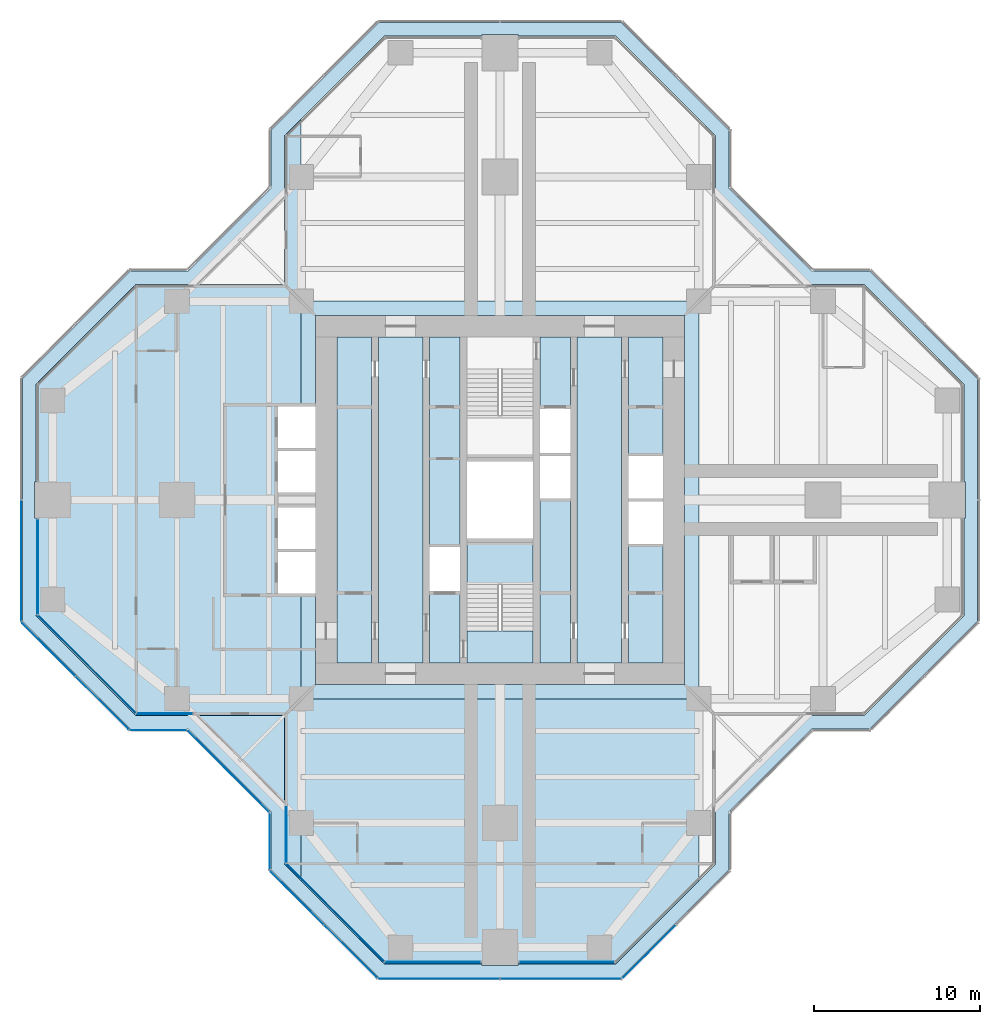
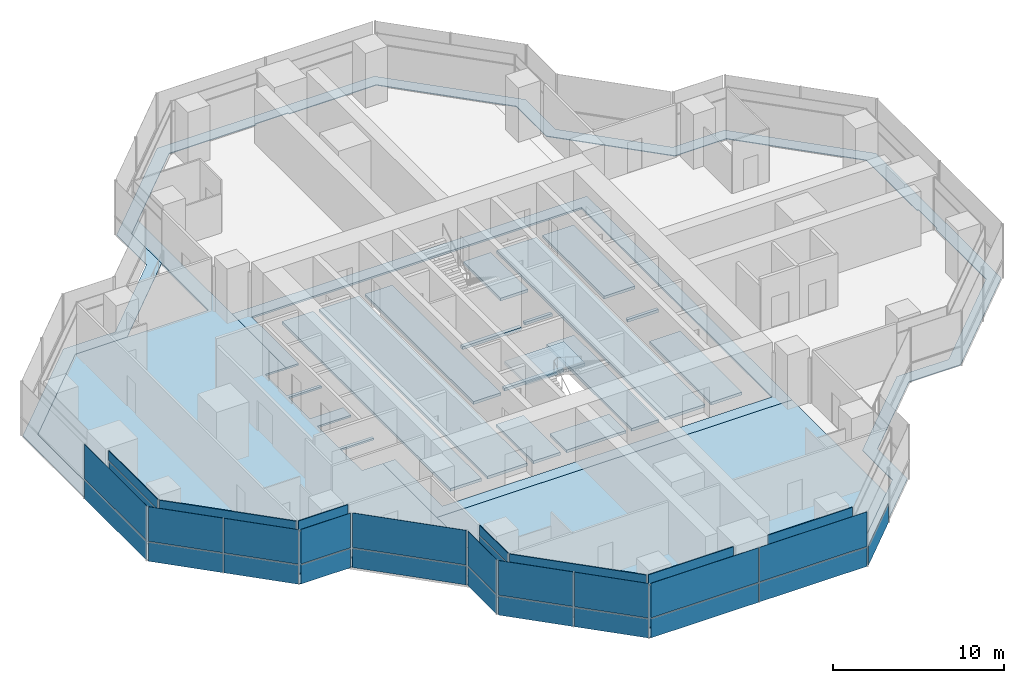
# One storey, part 10 of 17: 36 plates, 7 slabs, 16 elements without a shape of their own.
"""IFC4 building model written with IfcOpenShell, lengths in metres."""

from ifc_helpers import new_model, si_unit, direction, frame, origin, origin_2d, place, context, subcontext, project, spatial, polyline, rectangle, outline, extrude, material, layer, layer_set, type_object, element, aggregate, save


model = new_model("IFC4")

# Units and contexts
model_context = context("Model", 3, precision=1e-05, world=origin(), true_north=direction((0.0, 1.0)))
body_context = subcontext(model_context, "Body", "Model", "MODEL_VIEW")
ifc_project = project(units=[si_unit("LENGTHUNIT", "METRE"), si_unit("AREAUNIT", "SQUARE_METRE"), si_unit("VOLUMEUNIT", "CUBIC_METRE"), si_unit("PLANEANGLEUNIT", "RADIAN"), si_unit("MASSUNIT", "GRAM", prefix="KILO")], contexts=[model_context])

# Site, building, storey
site_placement = place(None, origin())
site = spatial("IfcSite", under=ifc_project, at=site_placement, CompositionType="ELEMENT")
building_placement = place(site_placement, origin())
building = spatial("IfcBuilding", under=site, at=building_placement, Name="Mizan Broadcast Tower", CompositionType="ELEMENT")
storey_placement = place(building_placement, frame((0.0, 0.0, 247.800048828125)))
storey = spatial("IfcBuildingStorey", under=building, at=storey_placement, Name="L58", CompositionType="ELEMENT", Elevation=247.800048828125)

# Plate
ifc_material_1 = material(Name="Aluminium grating", Category="aluminium")
ifc_layer_1 = layer(ifc_material_1, 0.050048828125)
ifc_layer_set_1 = layer_set([ifc_layer_1], Name="Aluminium grating")
plate_type_1 = type_object("IfcPlateType", Name="CAVITY GRATING", PredefinedType="USERDEFINED", material=ifc_layer_set_1)
plate_1_placement = place(storey_placement, frame((0.0, 0.0, -0.050048828125)))
element("IfcPlate", 1, at=plate_1_placement, inside=storey, type_object=plate_type_1, Name="Cavity grating L58", ObjectType="GRATING", PredefinedType="USERDEFINED", context=body_context, shape_type="SweptSolid", body=[
    extrude(outline(polyline([(13.820068359375, -18.839599609375), (18.839599609375, -13.820068359375), (22.339599609375, -13.820068359375), (28.820068359375, -7.339599609375), (28.820068359375, 7.339599609375), (22.339599609375, 13.820068359375), (18.839599609375, 13.820068359375), (13.820068359375, 18.839599609375), (13.820068359375, 22.339599609375), (7.339599609375, 28.820068359375), (-7.339599609375, 28.820068359375), (-13.820068359375, 22.339599609375), (-13.820068359375, 18.839599609375), (-18.839599609375, 13.820068359375), (-22.339599609375, 13.820068359375), (-28.820068359375, 7.339599609375), (-28.820068359375, -7.339599609375), (-22.339599609375, -13.820068359375), (-18.839599609375, -13.820068359375), (-13.820068359375, -18.839599609375), (-13.820068359375, -22.339599609375), (-7.339599609375, -28.820068359375), (7.339599609375, -28.820068359375), (13.820068359375, -22.339599609375), (13.820068359375, -18.839599609375)]), holes=[polyline([(28.0, -1.10009765625), (28.0, -7.0), (22.0, -13.0), (18.5, -13.0), (13.0, -18.5), (13.0, -22.0), (7.0, -28.0), (1.10009765625, -28.0), (1.10009765625, -28.10009765625), (-1.10009765625, -28.10009765625), (-1.10009765625, -28.0), (-7.0, -28.0), (-13.0, -22.0), (-13.0, -18.5), (-18.5, -13.0), (-22.0, -13.0), (-28.0, -7.0), (-28.0, -1.10009765625), (-28.10009765625, -1.10009765625), (-28.10009765625, 1.10009765625), (-28.0, 1.10009765625), (-28.0, 7.0), (-22.0, 13.0), (-18.5, 13.0), (-13.0, 18.5), (-13.0, 22.0), (-7.0, 28.0), (-1.10009765625, 28.0), (-1.10009765625, 28.10009765625), (1.10009765625, 28.10009765625), (1.10009765625, 28.0), (7.0, 28.0), (13.0, 22.0), (13.0, 18.5), (18.5, 13.0), (22.0, 13.0), (28.0, 7.0), (28.0, 1.10009765625), (28.10009765625, 1.10009765625), (28.10009765625, -1.10009765625), (28.0, -1.10009765625)])]), origin(), (0.0, 0.0, 1.0), 0.050048828125),
])

# Slabs
ifc_material_2 = material(Name="Concrete C32/40", Category="concrete")
ifc_layer_2 = layer(ifc_material_2, 0.1298828125)
ifc_layer_set_2 = layer_set([ifc_layer_2], Name="Concrete C32/40")
slab_type_1 = type_object("IfcSlabType", Name="COMPOSITE DECK SLAB 130", PredefinedType="FLOOR", material=ifc_layer_set_2)
slab_1_placement = place(storey_placement, frame((0.0, 0.0, -0.130126953125)))
element("IfcSlab", 2, at=slab_1_placement, inside=storey, type_object=slab_type_1, Name="Floor slab L58 centre", PredefinedType="FLOOR", context=body_context, shape_type="SweptSolid", body=[
    extrude(outline(polyline([(-11.14990234375, -5.64990234375), (-12.0, -5.64990234375), (-12.0, -12.0), (12.0, -12.0), (12.0, 12.0), (-12.0, 12.0), (-12.0, 5.64990234375), (-11.14990234375, 5.64990234375), (-11.14990234375, 11.14990234375), (11.14990234375, 11.14990234375), (11.14990234375, -11.14990234375), (-11.14990234375, -11.14990234375), (-11.14990234375, -5.64990234375)])), origin(), (0.0, 0.0, 1.0), 0.130126953125),
])
slab_2_placement = place(storey_placement, frame((0.0, 0.0, -0.130126953125)))
element("IfcSlab", 3, at=slab_2_placement, inside=storey, type_object=slab_type_1, Name="Floor slab L58 west arm", PredefinedType="FLOOR", context=body_context, shape_type="SweptSolid", body=[
    extrude(outline(polyline([(-22.0, 13.0), (-28.0, 7.0), (-28.0, -7.0), (-22.0, -13.0), (-13.0, -13.0), (-13.0, -22.0), (-12.0, -23.0), (-12.0, -5.64990234375), (-13.39990234375, -5.64990234375), (-13.39990234375, -3.14990234375), (-11.14990234375, -3.14990234375), (-11.14990234375, -2.949951171875), (-13.39990234375, -2.949951171875), (-13.39990234375, -0.449951171875), (-11.14990234375, -0.449951171875), (-11.14990234375, 0.449951171875), (-13.39990234375, 0.449951171875), (-13.39990234375, 2.949951171875), (-11.14990234375, 2.949951171875), (-11.14990234375, 3.14990234375), (-13.39990234375, 3.14990234375), (-13.39990234375, 5.64990234375), (-12.0, 5.64990234375), (-12.0, 23.0), (-13.0, 22.0), (-13.0, 13.0), (-22.0, 13.0)])), origin(), (0.0, 0.0, 1.0), 0.130126953125),
])
slab_3_placement = place(storey_placement, frame((0.0, 0.0, -0.130126953125)))
element("IfcSlab", 4, at=slab_3_placement, inside=storey, type_object=slab_type_1, Name="Floor slab L58 south arm", PredefinedType="FLOOR", context=body_context, shape_type="SweptSolid", body=[
    extrude(outline(polyline([(7.0, -28.0), (12.0, -23.0), (12.0, -12.0), (-12.0, -12.0), (-12.0, -23.0), (-7.0, -28.0), (7.0, -28.0)])), origin(), (0.0, 0.0, 1.0), 0.130126953125),
])
ifc_material_3 = material(Name="Concrete C40/50", Category="concrete")
ifc_layer_3 = layer(ifc_material_3, 0.199951171875)
ifc_layer_set_3 = layer_set([ifc_layer_3], Name="Concrete C40/50")
slab_type_2 = type_object("IfcSlabType", Name="CORE FLOOR 200", PredefinedType="FLOOR", material=ifc_layer_set_3)
slab_4_placement = place(storey_placement, frame((0.0, 0.0, -0.199951171875)))
element("IfcSlab", 5, at=slab_4_placement, inside=storey, type_object=slab_type_2, Name="Core floor L58", PredefinedType="FLOOR", context=body_context, shape_type="SweptSolid", body=[
    extrude(outline(polyline([(-9.85009765625, -9.85009765625), (-7.75, -9.85009765625), (-7.75, 9.85009765625), (-9.85009765625, 9.85009765625), (-9.85009765625, -9.85009765625)])), origin(), (0.0, 0.0, 1.0), 0.199951171875),
    extrude(outline(polyline([(-4.64990234375, 9.85009765625), (-7.35009765625, 9.85009765625), (-7.35009765625, -9.85009765625), (-4.64990234375, -9.85009765625), (-4.64990234375, 9.85009765625)])), origin(), (0.0, 0.0, 1.0), 0.199951171875),
    extrude(outline(polyline([(-4.25, -5.5), (-4.25, -9.85009765625), (-2.39990234375, -9.85009765625), (-2.39990234375, -5.5), (-4.25, -5.5)])), origin(), (0.0, 0.0, 1.0), 0.199951171875),
    extrude(outline(polyline([(-4.25, -2.85009765625), (-2.39990234375, -2.85009765625), (-2.39990234375, 9.85009765625), (-4.25, 9.85009765625), (-4.25, -2.85009765625)])), origin(), (0.0, 0.0, 1.0), 0.199951171875),
    extrude(outline(polyline([(2.0, -2.324951171875), (-2.0, -2.324951171875), (-2.0, -2.574951171875), (2.0, -2.574951171875), (2.0, -2.324951171875)])), origin(), (0.0, 0.0, 1.0), 0.199951171875),
    extrude(outline(polyline([(2.0, 2.574951171875), (-2.0, 2.574951171875), (-2.0, 2.324951171875), (2.0, 2.324951171875), (2.0, 2.574951171875)])), origin(), (0.0, 0.0, 1.0), 0.199951171875),
    extrude(outline(polyline([(4.25, -9.85009765625), (4.25, 0.10009765625), (2.39990234375, 0.10009765625), (2.39990234375, -9.85009765625), (4.25, -9.85009765625)])), origin(), (0.0, 0.0, 1.0), 0.199951171875),
    extrude(outline(polyline([(4.25, 2.64990234375), (4.25, 2.85009765625), (2.39990234375, 2.85009765625), (2.39990234375, 2.64990234375), (4.25, 2.64990234375)])), origin(), (0.0, 0.0, 1.0), 0.199951171875),
    extrude(outline(polyline([(4.25, 5.5), (4.25, 9.85009765625), (2.39990234375, 9.85009765625), (2.39990234375, 5.5), (4.25, 5.5)])), origin(), (0.0, 0.0, 1.0), 0.199951171875),
    extrude(outline(polyline([(4.64990234375, 9.85009765625), (4.64990234375, -9.85009765625), (7.35009765625, -9.85009765625), (7.35009765625, 9.85009765625), (4.64990234375, 9.85009765625)])), origin(), (0.0, 0.0, 1.0), 0.199951171875),
    extrude(outline(polyline([(9.85009765625, -9.85009765625), (9.85009765625, -2.64990234375), (7.75, -2.64990234375), (7.75, -9.85009765625), (9.85009765625, -9.85009765625)])), origin(), (0.0, 0.0, 1.0), 0.199951171875),
    extrude(outline(polyline([(9.85009765625, -0.10009765625), (9.85009765625, 0.10009765625), (7.75, 0.10009765625), (7.75, -0.10009765625), (9.85009765625, -0.10009765625)])), origin(), (0.0, 0.0, 1.0), 0.199951171875),
    extrude(outline(polyline([(7.75, 9.85009765625), (7.75, 2.64990234375), (9.85009765625, 2.64990234375), (9.85009765625, 9.85009765625), (7.75, 9.85009765625)])), origin(), (0.0, 0.0, 1.0), 0.199951171875),
])

# Curtain wall, plate
ifc_material_4 = material(Name="Aluminium framed glazing", Category="aluminium")
curtain_wall_type_1 = type_object("IfcCurtainWallType", Name="INNER SKIN HIGH ZONE", PredefinedType="USERDEFINED", material=ifc_material_4)
curtain_wall_1_placement = place(storey_placement, origin())
curtain_wall_1 = element("IfcCurtainWall", 6, at=curtain_wall_1_placement, inside=storey, type_object=curtain_wall_type_1, Name="Inner skin high zone L58 W end", ObjectType="INNER SKIN HIGH ZONE", PredefinedType="USERDEFINED")
ifc_material_5 = material(Name="Double glazing, clear low-e", Category="glass")
ifc_layer_4 = layer(ifc_material_5, 0.028076171875)
ifc_layer_set_4 = layer_set([ifc_layer_4], Name="Double glazing, clear low-e")
plate_type_2 = type_object("IfcPlateType", Name="INNER SKIN GLAZING UNIT", PredefinedType="CURTAIN_PANEL", material=ifc_layer_set_4)
plate_2_placement = place(storey_placement, frame((-27.89990234375, -4.029296875, 0.0), z_axis=(0.0, 0.0, 1.0), x_axis=(0.0, -1.0, 0.0)))
plate_2 = element("IfcPlate", 7, at=plate_2_placement, type_object=plate_type_2, Name="Inner skin high zone L58 W end panel 1.1", PredefinedType="CURTAIN_PANEL", context=body_context, shape_type="SweptSolid", body=[
    extrude(rectangle(XDim=5.738525390625, YDim=0.028076171875, at=origin_2d()), origin(), (0.0, 0.0, 1.0), 3.0),
])

curtain_wall_2_placement = place(storey_placement, origin())
curtain_wall_2 = element("IfcCurtainWall", 8, at=curtain_wall_2_placement, inside=storey, type_object=curtain_wall_type_1, Name="Inner skin high zone L58 W chamfer", ObjectType="INNER SKIN HIGH ZONE", PredefinedType="USERDEFINED")
plate_3_placement = place(storey_placement, frame((-24.92919921875, -9.92919921875, 0.0), z_axis=(0.0, 0.0, 1.0), x_axis=(0.707106781187, -0.707106781187, 0.0)))
plate_3 = element("IfcPlate", 9, at=plate_3_placement, type_object=plate_type_2, Name="Inner skin high zone L58 W chamfer panel 1.1", PredefinedType="CURTAIN_PANEL", context=body_context, shape_type="SweptSolid", body=[
    extrude(rectangle(XDim=8.282470703125, YDim=0.028076171875, at=origin_2d()), origin(), (0.0, 0.0, 1.0), 3.0),
])

curtain_wall_3_placement = place(storey_placement, origin())
curtain_wall_3 = element("IfcCurtainWall", 10, at=curtain_wall_3_placement, inside=storey, type_object=curtain_wall_type_1, Name="Inner skin high zone L58 W side", ObjectType="INNER SKIN HIGH ZONE", PredefinedType="USERDEFINED")
plate_4_placement = place(storey_placement, frame((-20.229248046875, -12.89990234375, 0.0), z_axis=(0.0, 0.0, 1.0), x_axis=(1.0, 0.0, 0.0)))
plate_4 = element("IfcPlate", 11, at=plate_4_placement, type_object=plate_type_2, Name="Inner skin high zone L58 W side panel 1.1", PredefinedType="CURTAIN_PANEL", context=body_context, shape_type="SweptSolid", body=[
    extrude(rectangle(XDim=3.338623046875, YDim=0.028076171875, at=origin_2d()), origin(), (0.0, 0.0, 1.0), 3.0),
])

curtain_wall_4_placement = place(storey_placement, origin())
curtain_wall_4 = element("IfcCurtainWall", 12, at=curtain_wall_4_placement, inside=storey, type_object=curtain_wall_type_1, Name="Inner skin high zone L58 S side", ObjectType="INNER SKIN HIGH ZONE", PredefinedType="USERDEFINED")
plate_5_placement = place(storey_placement, frame((-12.89990234375, -20.229248046875, 0.0), z_axis=(0.0, 0.0, 1.0), x_axis=(0.0, -1.0, 0.0)))
plate_5 = element("IfcPlate", 13, at=plate_5_placement, type_object=plate_type_2, Name="Inner skin high zone L58 S side panel 1.1", PredefinedType="CURTAIN_PANEL", context=body_context, shape_type="SweptSolid", body=[
    extrude(rectangle(XDim=3.338623046875, YDim=0.028076171875, at=origin_2d()), origin(), (0.0, 0.0, 1.0), 3.0),
])

curtain_wall_5_placement = place(storey_placement, origin())
curtain_wall_5 = element("IfcCurtainWall", 14, at=curtain_wall_5_placement, inside=storey, type_object=curtain_wall_type_1, Name="Inner skin high zone L58 S chamfer", ObjectType="INNER SKIN HIGH ZONE", PredefinedType="USERDEFINED")
plate_6_placement = place(storey_placement, frame((-9.92919921875, -24.92919921875, 0.0), z_axis=(0.0, 0.0, 1.0), x_axis=(0.707106781187, -0.707106781187, 0.0)))
plate_6 = element("IfcPlate", 15, at=plate_6_placement, type_object=plate_type_2, Name="Inner skin high zone L58 S chamfer panel 1.1", PredefinedType="CURTAIN_PANEL", context=body_context, shape_type="SweptSolid", body=[
    extrude(rectangle(XDim=8.282470703125, YDim=0.028076171875, at=origin_2d()), origin(), (0.0, 0.0, 1.0), 3.0),
])

curtain_wall_6_placement = place(storey_placement, origin())
curtain_wall_6 = element("IfcCurtainWall", 16, at=curtain_wall_6_placement, inside=storey, type_object=curtain_wall_type_1, Name="Inner skin high zone L58 S end", ObjectType="INNER SKIN HIGH ZONE", PredefinedType="USERDEFINED")
plate_7_placement = place(storey_placement, frame((-4.029296875, -27.89990234375, 0.0), z_axis=(0.0, 0.0, 1.0), x_axis=(1.0, 0.0, 0.0)))
plate_7 = element("IfcPlate", 17, at=plate_7_placement, type_object=plate_type_2, Name="Inner skin high zone L58 S end panel 1.1", PredefinedType="CURTAIN_PANEL", context=body_context, shape_type="SweptSolid", body=[
    extrude(rectangle(XDim=5.738525390625, YDim=0.028076171875, at=origin_2d()), origin(), (0.0, 0.0, 1.0), 3.0),
])

curtain_wall_7_placement = place(storey_placement, origin())
curtain_wall_7 = element("IfcCurtainWall", 18, at=curtain_wall_7_placement, inside=storey, type_object=curtain_wall_type_1, Name="Inner skin high zone L58 S end", ObjectType="INNER SKIN HIGH ZONE", PredefinedType="USERDEFINED")
plate_8_placement = place(storey_placement, frame((4.029296875, -27.89990234375, 0.0), z_axis=(0.0, 0.0, 1.0), x_axis=(1.0, 0.0, 0.0)))
plate_8 = element("IfcPlate", 19, at=plate_8_placement, type_object=plate_type_2, Name="Inner skin high zone L58 S end panel 1.1", PredefinedType="CURTAIN_PANEL", context=body_context, shape_type="SweptSolid", body=[
    extrude(rectangle(XDim=5.738525390625, YDim=0.028076171875, at=origin_2d()), origin(), (0.0, 0.0, 1.0), 3.0),
])

# Plate
ifc_material_6 = material(Name="Insulated aluminium spandrel panel, pale anodised", Category="aluminium")
ifc_layer_5 = layer(ifc_material_6, 0.050048828125)
ifc_layer_set_5 = layer_set([ifc_layer_5], Name="Insulated aluminium spandrel panel, pale anodised")
plate_type_3 = type_object("IfcPlateType", Name="INNER SKIN SPANDREL PANEL", PredefinedType="CURTAIN_PANEL", material=ifc_layer_set_5)
plate_9_placement = place(storey_placement, frame((-27.89990234375, -4.029296875, 3.06005859375), z_axis=(0.0, 0.0, 1.0), x_axis=(0.0, -1.0, 0.0)))
plate_9 = element("IfcPlate", 20, at=plate_9_placement, type_object=plate_type_3, Name="Inner skin high zone L58 W end panel 1.2", PredefinedType="CURTAIN_PANEL", context=body_context, shape_type="SweptSolid", body=[
    extrude(rectangle(XDim=5.738525390625, YDim=0.050048828125, at=origin_2d()), origin(), (0.0, 0.0, 1.0), 0.7099609375),
])

aggregate(curtain_wall_1, [plate_2, plate_9])

plate_10_placement = place(storey_placement, frame((-24.92919921875, -9.92919921875, 3.06005859375), z_axis=(0.0, 0.0, 1.0), x_axis=(0.707106781187, -0.707106781187, 0.0)))
plate_10 = element("IfcPlate", 21, at=plate_10_placement, type_object=plate_type_3, Name="Inner skin high zone L58 W chamfer panel 1.2", PredefinedType="CURTAIN_PANEL", context=body_context, shape_type="SweptSolid", body=[
    extrude(rectangle(XDim=8.282470703125, YDim=0.050048828125, at=origin_2d()), origin(), (0.0, 0.0, 1.0), 0.7099609375),
])

aggregate(curtain_wall_2, [plate_3, plate_10])

plate_11_placement = place(storey_placement, frame((-20.229248046875, -12.89990234375, 3.06005859375), z_axis=(0.0, 0.0, 1.0), x_axis=(1.0, 0.0, 0.0)))
plate_11 = element("IfcPlate", 22, at=plate_11_placement, type_object=plate_type_3, Name="Inner skin high zone L58 W side panel 1.2", PredefinedType="CURTAIN_PANEL", context=body_context, shape_type="SweptSolid", body=[
    extrude(rectangle(XDim=3.338623046875, YDim=0.050048828125, at=origin_2d()), origin(), (0.0, 0.0, 1.0), 0.7099609375),
])

aggregate(curtain_wall_3, [plate_4, plate_11])

plate_12_placement = place(storey_placement, frame((-12.89990234375, -20.229248046875, 3.06005859375), z_axis=(0.0, 0.0, 1.0), x_axis=(0.0, -1.0, 0.0)))
plate_12 = element("IfcPlate", 23, at=plate_12_placement, type_object=plate_type_3, Name="Inner skin high zone L58 S side panel 1.2", PredefinedType="CURTAIN_PANEL", context=body_context, shape_type="SweptSolid", body=[
    extrude(rectangle(XDim=3.338623046875, YDim=0.050048828125, at=origin_2d()), origin(), (0.0, 0.0, 1.0), 0.7099609375),
])

aggregate(curtain_wall_4, [plate_5, plate_12])

plate_13_placement = place(storey_placement, frame((-9.92919921875, -24.92919921875, 3.06005859375), z_axis=(0.0, 0.0, 1.0), x_axis=(0.707106781187, -0.707106781187, 0.0)))
plate_13 = element("IfcPlate", 24, at=plate_13_placement, type_object=plate_type_3, Name="Inner skin high zone L58 S chamfer panel 1.2", PredefinedType="CURTAIN_PANEL", context=body_context, shape_type="SweptSolid", body=[
    extrude(rectangle(XDim=8.282470703125, YDim=0.050048828125, at=origin_2d()), origin(), (0.0, 0.0, 1.0), 0.7099609375),
])

aggregate(curtain_wall_5, [plate_6, plate_13])

plate_14_placement = place(storey_placement, frame((-4.029296875, -27.89990234375, 3.06005859375), z_axis=(0.0, 0.0, 1.0), x_axis=(1.0, 0.0, 0.0)))
plate_14 = element("IfcPlate", 25, at=plate_14_placement, type_object=plate_type_3, Name="Inner skin high zone L58 S end panel 1.2", PredefinedType="CURTAIN_PANEL", context=body_context, shape_type="SweptSolid", body=[
    extrude(rectangle(XDim=5.738525390625, YDim=0.050048828125, at=origin_2d()), origin(), (0.0, 0.0, 1.0), 0.7099609375),
])

aggregate(curtain_wall_6, [plate_7, plate_14])

plate_15_placement = place(storey_placement, frame((4.029296875, -27.89990234375, 3.06005859375), z_axis=(0.0, 0.0, 1.0), x_axis=(1.0, 0.0, 0.0)))
plate_15 = element("IfcPlate", 26, at=plate_15_placement, type_object=plate_type_3, Name="Inner skin high zone L58 S end panel 1.2", PredefinedType="CURTAIN_PANEL", context=body_context, shape_type="SweptSolid", body=[
    extrude(rectangle(XDim=5.738525390625, YDim=0.050048828125, at=origin_2d()), origin(), (0.0, 0.0, 1.0), 0.7099609375),
])

aggregate(curtain_wall_7, [plate_8, plate_15])

# Curtain wall, plates
ifc_material_7 = material(Name="Aluminium framed glazing", Category="aluminium")
curtain_wall_type_2 = type_object("IfcCurtainWallType", Name="OUTER SKIN", PredefinedType="USERDEFINED", material=ifc_material_7)
curtain_wall_8_placement = place(storey_placement, origin())
curtain_wall_8 = element("IfcCurtainWall", 27, at=curtain_wall_8_placement, inside=storey, type_object=curtain_wall_type_2, Name="Outer skin L58 W chamfer", ObjectType="OUTER SKIN", PredefinedType="USERDEFINED")
ifc_material_8 = material(Name="Laminated clear glass", Category="glass")
ifc_layer_6 = layer(ifc_material_8, 0.02001953125)
ifc_layer_set_6 = layer_set([ifc_layer_6], Name="Laminated clear glass")
plate_type_4 = type_object("IfcPlateType", Name="OUTER SKIN CLEAR GLASS", PredefinedType="CURTAIN_PANEL", material=ifc_layer_set_6)
plate_16_placement = place(storey_placement, frame((-27.254150390625, -9.018798828125, 0.0), z_axis=(0.0, 0.0, 1.0), x_axis=(0.707106781187, -0.707106781187, 0.0)))
plate_16 = element("IfcPlate", 28, at=plate_16_placement, type_object=plate_type_4, Name="Outer skin L58 W chamfer panel 1.1", PredefinedType="CURTAIN_PANEL", context=body_context, shape_type="SweptSolid", body=[
    extrude(rectangle(XDim=4.495361328125, YDim=0.02001953125, at=origin_2d()), origin(), (0.0, 0.0, 1.0), 1.3701171875),
])
plate_17_placement = place(storey_placement, frame((-27.254150390625, -9.018798828125, 1.43017578125), z_axis=(0.0, 0.0, 1.0), x_axis=(0.707106781187, -0.707106781187, 0.0)))
plate_17 = element("IfcPlate", 29, at=plate_17_placement, type_object=plate_type_4, Name="Outer skin L58 W chamfer panel 1.2", PredefinedType="CURTAIN_PANEL", context=body_context, shape_type="SweptSolid", body=[
    extrude(rectangle(XDim=4.495361328125, YDim=0.02001953125, at=origin_2d()), origin(), (0.0, 0.0, 1.0), 2.469970703125),
])

curtain_wall_9_placement = place(storey_placement, origin())
curtain_wall_9 = element("IfcCurtainWall", 30, at=curtain_wall_9_placement, inside=storey, type_object=curtain_wall_type_2, Name="Outer skin L58 W side", ObjectType="OUTER SKIN", PredefinedType="USERDEFINED")
plate_18_placement = place(storey_placement, frame((-20.622802734375, -13.89990234375, 0.0), z_axis=(0.0, 0.0, 1.0), x_axis=(1.0, 0.0, 0.0)))
plate_18 = element("IfcPlate", 31, at=plate_18_placement, type_object=plate_type_4, Name="Outer skin L58 W side panel 1.1", PredefinedType="CURTAIN_PANEL", context=body_context, shape_type="SweptSolid", body=[
    extrude(rectangle(XDim=3.340087890625, YDim=0.02001953125, at=origin_2d()), origin(), (0.0, 0.0, 1.0), 1.3701171875),
])
plate_19_placement = place(storey_placement, frame((-20.622802734375, -13.89990234375, 1.43017578125), z_axis=(0.0, 0.0, 1.0), x_axis=(1.0, 0.0, 0.0)))
plate_19 = element("IfcPlate", 32, at=plate_19_placement, type_object=plate_type_4, Name="Outer skin L58 W side panel 1.2", PredefinedType="CURTAIN_PANEL", context=body_context, shape_type="SweptSolid", body=[
    extrude(rectangle(XDim=3.340087890625, YDim=0.02001953125, at=origin_2d()), origin(), (0.0, 0.0, 1.0), 2.469970703125),
])
aggregate(curtain_wall_9, [plate_18, plate_19])

curtain_wall_10_placement = place(storey_placement, origin())
curtain_wall_10 = element("IfcCurtainWall", 33, at=curtain_wall_10_placement, inside=storey, type_object=curtain_wall_type_2, Name="Outer skin L58 W chamfer", ObjectType="OUTER SKIN", PredefinedType="USERDEFINED")
plate_20_placement = place(storey_placement, frame((-16.386474609375, -16.386474609375, 0.0), z_axis=(0.0, 0.0, 1.0), x_axis=(0.707106781187, -0.707106781187, 0.0)))
plate_20 = element("IfcPlate", 34, at=plate_20_placement, type_object=plate_type_4, Name="Outer skin L58 W chamfer panel 1.1", PredefinedType="CURTAIN_PANEL", context=body_context, shape_type="SweptSolid", body=[
    extrude(rectangle(XDim=6.87255859375, YDim=0.02001953125, at=origin_2d()), origin(), (0.0, 0.0, 1.0), 1.3701171875),
])
plate_21_placement = place(storey_placement, frame((-16.386474609375, -16.386474609375, 1.43017578125), z_axis=(0.0, 0.0, 1.0), x_axis=(0.707106781187, -0.707106781187, 0.0)))
plate_21 = element("IfcPlate", 35, at=plate_21_placement, type_object=plate_type_4, Name="Outer skin L58 W chamfer panel 1.2", PredefinedType="CURTAIN_PANEL", context=body_context, shape_type="SweptSolid", body=[
    extrude(rectangle(XDim=6.87255859375, YDim=0.02001953125, at=origin_2d()), origin(), (0.0, 0.0, 1.0), 2.469970703125),
])
aggregate(curtain_wall_10, [plate_20, plate_21])

curtain_wall_11_placement = place(storey_placement, origin())
curtain_wall_11 = element("IfcCurtainWall", 36, at=curtain_wall_11_placement, inside=storey, type_object=curtain_wall_type_2, Name="Outer skin L58 S side", ObjectType="OUTER SKIN", PredefinedType="USERDEFINED")
plate_22_placement = place(storey_placement, frame((-13.89990234375, -20.622802734375, 0.0), z_axis=(0.0, 0.0, 1.0), x_axis=(0.0, -1.0, 0.0)))
plate_22 = element("IfcPlate", 37, at=plate_22_placement, type_object=plate_type_4, Name="Outer skin L58 S side panel 1.1", PredefinedType="CURTAIN_PANEL", context=body_context, shape_type="SweptSolid", body=[
    extrude(rectangle(XDim=3.340087890625, YDim=0.02001953125, at=origin_2d()), origin(), (0.0, 0.0, 1.0), 1.3701171875),
])
plate_23_placement = place(storey_placement, frame((-13.89990234375, -20.622802734375, 1.43017578125), z_axis=(0.0, 0.0, 1.0), x_axis=(0.0, -1.0, 0.0)))
plate_23 = element("IfcPlate", 38, at=plate_23_placement, type_object=plate_type_4, Name="Outer skin L58 S side panel 1.2", PredefinedType="CURTAIN_PANEL", context=body_context, shape_type="SweptSolid", body=[
    extrude(rectangle(XDim=3.340087890625, YDim=0.02001953125, at=origin_2d()), origin(), (0.0, 0.0, 1.0), 2.469970703125),
])
aggregate(curtain_wall_11, [plate_22, plate_23])

curtain_wall_12_placement = place(storey_placement, origin())
curtain_wall_12 = element("IfcCurtainWall", 39, at=curtain_wall_12_placement, inside=storey, type_object=curtain_wall_type_2, Name="Outer skin L58 S chamfer", ObjectType="OUTER SKIN", PredefinedType="USERDEFINED")
plate_24_placement = place(storey_placement, frame((-12.254150390625, -24.018798828125, 0.0), z_axis=(0.0, 0.0, 1.0), x_axis=(0.707106781187, -0.707106781187, 0.0)))
plate_24 = element("IfcPlate", 40, at=plate_24_placement, type_object=plate_type_4, Name="Outer skin L58 S chamfer panel 1.1", PredefinedType="CURTAIN_PANEL", context=body_context, shape_type="SweptSolid", body=[
    extrude(rectangle(XDim=4.495361328125, YDim=0.02001953125, at=origin_2d()), origin(), (0.0, 0.0, 1.0), 1.3701171875),
])
plate_25_placement = place(storey_placement, frame((-12.254150390625, -24.018798828125, 1.43017578125), z_axis=(0.0, 0.0, 1.0), x_axis=(0.707106781187, -0.707106781187, 0.0)))
plate_25 = element("IfcPlate", 41, at=plate_25_placement, type_object=plate_type_4, Name="Outer skin L58 S chamfer panel 1.2", PredefinedType="CURTAIN_PANEL", context=body_context, shape_type="SweptSolid", body=[
    extrude(rectangle(XDim=4.495361328125, YDim=0.02001953125, at=origin_2d()), origin(), (0.0, 0.0, 1.0), 2.469970703125),
])

curtain_wall_13_placement = place(storey_placement, origin())
curtain_wall_13 = element("IfcCurtainWall", 42, at=curtain_wall_13_placement, inside=storey, type_object=curtain_wall_type_2, Name="Outer skin L58 S end", ObjectType="OUTER SKIN", PredefinedType="USERDEFINED")
plate_26_placement = place(storey_placement, frame((-3.66650390625, -28.89990234375, 0.0), z_axis=(0.0, 0.0, 1.0), x_axis=(1.0, 0.0, 0.0)))
plate_26 = element("IfcPlate", 43, at=plate_26_placement, type_object=plate_type_4, Name="Outer skin L58 S end panel 1.1", PredefinedType="CURTAIN_PANEL", context=body_context, shape_type="SweptSolid", body=[
    extrude(rectangle(XDim=7.252685546875, YDim=0.02001953125, at=origin_2d()), origin(), (0.0, 0.0, 1.0), 1.3701171875),
])
plate_27_placement = place(storey_placement, frame((-3.66650390625, -28.89990234375, 1.43017578125), z_axis=(0.0, 0.0, 1.0), x_axis=(1.0, 0.0, 0.0)))
plate_27 = element("IfcPlate", 44, at=plate_27_placement, type_object=plate_type_4, Name="Outer skin L58 S end panel 1.2", PredefinedType="CURTAIN_PANEL", context=body_context, shape_type="SweptSolid", body=[
    extrude(rectangle(XDim=7.252685546875, YDim=0.02001953125, at=origin_2d()), origin(), (0.0, 0.0, 1.0), 2.469970703125),
])

# Curtain wall, plate
curtain_wall_14_placement = place(storey_placement, origin())
curtain_wall_14 = element("IfcCurtainWall", 45, at=curtain_wall_14_placement, inside=storey, type_object=curtain_wall_type_2, Name="Outer skin L58 S chamfer", ObjectType="OUTER SKIN", PredefinedType="USERDEFINED")
plate_28_placement = place(storey_placement, frame((9.018798828125, -27.254150390625, 0.0), z_axis=(0.0, 0.0, 1.0), x_axis=(0.707106781187, 0.707106781187, 0.0)))
plate_28 = element("IfcPlate", 46, at=plate_28_placement, type_object=plate_type_4, Name="Outer skin L58 S chamfer panel 1.1", PredefinedType="CURTAIN_PANEL", context=body_context, shape_type="SweptSolid", body=[
    extrude(rectangle(XDim=4.495361328125, YDim=0.02001953125, at=origin_2d()), origin(), (0.0, 0.0, 1.0), 1.3701171875),
])
aggregate(curtain_wall_14, [plate_28])

# Curtain wall, plates
curtain_wall_15_placement = place(storey_placement, origin())
curtain_wall_15 = element("IfcCurtainWall", 47, at=curtain_wall_15_placement, inside=storey, type_object=curtain_wall_type_2, Name="Outer skin L58 W end", ObjectType="OUTER SKIN", PredefinedType="USERDEFINED")
ifc_material_9 = material(Name="Perforated aluminium, pale anodised", Category="aluminium")
ifc_layer_7 = layer(ifc_material_9, 0.011962890625)
ifc_layer_set_7 = layer_set([ifc_layer_7], Name="Perforated aluminium, pale anodised")
plate_type_5 = type_object("IfcPlateType", Name="OUTER SKIN PERFORATED SCREEN", PredefinedType="USERDEFINED", material=ifc_layer_set_7)
plate_29_placement = place(storey_placement, frame((-28.89990234375, -3.66650390625, 0.0), z_axis=(0.0, 0.0, 1.0), x_axis=(0.0, -1.0, 0.0)))
plate_29 = element("IfcPlate", 48, at=plate_29_placement, type_object=plate_type_5, Name="Outer skin L58 W end panel 2.1", ObjectType="SCREEN", PredefinedType="USERDEFINED", context=body_context, shape_type="SweptSolid", body=[
    extrude(rectangle(XDim=7.252685546875, YDim=0.011962890625, at=origin_2d()), origin(), (0.0, 0.0, 1.0), 1.3701171875),
])
plate_30_placement = place(storey_placement, frame((-28.89990234375, -3.66650390625, 1.43017578125), z_axis=(0.0, 0.0, 1.0), x_axis=(0.0, -1.0, 0.0)))
plate_30 = element("IfcPlate", 49, at=plate_30_placement, type_object=plate_type_5, Name="Outer skin L58 W end panel 2.2", ObjectType="SCREEN", PredefinedType="USERDEFINED", context=body_context, shape_type="SweptSolid", body=[
    extrude(rectangle(XDim=7.252685546875, YDim=0.011962890625, at=origin_2d()), origin(), (0.0, 0.0, 1.0), 2.469970703125),
])
aggregate(curtain_wall_15, [plate_29, plate_30])

# Plate
plate_31_placement = place(storey_placement, frame((-24.018798828125, -12.254150390625, 0.0), z_axis=(0.0, 0.0, 1.0), x_axis=(0.707106781187, -0.707106781187, 0.0)))
plate_31 = element("IfcPlate", 50, at=plate_31_placement, type_object=plate_type_5, Name="Outer skin L58 W chamfer panel 2.1", ObjectType="SCREEN", PredefinedType="USERDEFINED", context=body_context, shape_type="SweptSolid", body=[
    extrude(rectangle(XDim=4.495361328125, YDim=0.011962890625, at=origin_2d()), origin(), (0.0, 0.0, 1.0), 1.3701171875),
])

plate_32_placement = place(storey_placement, frame((-24.018798828125, -12.254150390625, 1.43017578125), z_axis=(0.0, 0.0, 1.0), x_axis=(0.707106781187, -0.707106781187, 0.0)))
plate_32 = element("IfcPlate", 51, at=plate_32_placement, type_object=plate_type_5, Name="Outer skin L58 W chamfer panel 2.2", ObjectType="SCREEN", PredefinedType="USERDEFINED", context=body_context, shape_type="SweptSolid", body=[
    extrude(rectangle(XDim=4.495361328125, YDim=0.011962890625, at=origin_2d()), origin(), (0.0, 0.0, 1.0), 2.469970703125),
])

aggregate(curtain_wall_8, [plate_16, plate_17, plate_31, plate_32])

plate_33_placement = place(storey_placement, frame((-9.018798828125, -27.254150390625, 0.0), z_axis=(0.0, 0.0, 1.0), x_axis=(0.707106781187, -0.707106781187, 0.0)))
plate_33 = element("IfcPlate", 52, at=plate_33_placement, type_object=plate_type_5, Name="Outer skin L58 S chamfer panel 2.1", ObjectType="SCREEN", PredefinedType="USERDEFINED", context=body_context, shape_type="SweptSolid", body=[
    extrude(rectangle(XDim=4.495361328125, YDim=0.011962890625, at=origin_2d()), origin(), (0.0, 0.0, 1.0), 1.3701171875),
])

plate_34_placement = place(storey_placement, frame((-9.018798828125, -27.254150390625, 1.43017578125), z_axis=(0.0, 0.0, 1.0), x_axis=(0.707106781187, -0.707106781187, 0.0)))
plate_34 = element("IfcPlate", 53, at=plate_34_placement, type_object=plate_type_5, Name="Outer skin L58 S chamfer panel 2.2", ObjectType="SCREEN", PredefinedType="USERDEFINED", context=body_context, shape_type="SweptSolid", body=[
    extrude(rectangle(XDim=4.495361328125, YDim=0.011962890625, at=origin_2d()), origin(), (0.0, 0.0, 1.0), 2.469970703125),
])

aggregate(curtain_wall_12, [plate_24, plate_25, plate_33, plate_34])

plate_35_placement = place(storey_placement, frame((3.66650390625, -28.89990234375, 0.0), z_axis=(0.0, 0.0, 1.0), x_axis=(1.0, 0.0, 0.0)))
plate_35 = element("IfcPlate", 54, at=plate_35_placement, type_object=plate_type_5, Name="Outer skin L58 S end panel 2.1", ObjectType="SCREEN", PredefinedType="USERDEFINED", context=body_context, shape_type="SweptSolid", body=[
    extrude(rectangle(XDim=7.252685546875, YDim=0.011962890625, at=origin_2d()), origin(), (0.0, 0.0, 1.0), 1.3701171875),
])

plate_36_placement = place(storey_placement, frame((3.66650390625, -28.89990234375, 1.43017578125), z_axis=(0.0, 0.0, 1.0), x_axis=(1.0, 0.0, 0.0)))
plate_36 = element("IfcPlate", 55, at=plate_36_placement, type_object=plate_type_5, Name="Outer skin L58 S end panel 2.2", ObjectType="SCREEN", PredefinedType="USERDEFINED", context=body_context, shape_type="SweptSolid", body=[
    extrude(rectangle(XDim=7.252685546875, YDim=0.011962890625, at=origin_2d()), origin(), (0.0, 0.0, 1.0), 2.469970703125),
])

aggregate(curtain_wall_13, [plate_26, plate_27, plate_35, plate_36])

# Stair, slabs
ifc_material_10 = material(Name="Concrete C40/50", Category="concrete")
stair_type = type_object("IfcStairType", Name="EXIT STAIR", PredefinedType="HALF_TURN_STAIR", material=ifc_material_10)
stair_placement = place(storey_placement, origin())
stair = element("IfcStair", 56, at=stair_placement, inside=storey, type_object=stair_type, Name="Stair A L58", PredefinedType="HALF_TURN_STAIR")
ifc_material_11 = material(Name="Concrete C40/50", Category="concrete")
ifc_layer_8 = layer(ifc_material_11, 0.199951171875)
ifc_layer_set_8 = layer_set([ifc_layer_8], Name="Concrete C40/50")
slab_type_3 = type_object("IfcSlabType", Name="STAIR LANDING 200", PredefinedType="LANDING", material=ifc_layer_set_8)
slab_5_placement = place(storey_placement, frame((0.0, 0.0, -0.199951171875)))
slab_5 = element("IfcSlab", 57, at=slab_5_placement, type_object=slab_type_3, Name="A landing 1", PredefinedType="LANDING", context=body_context, shape_type="SweptSolid", body=[
    extrude(outline(polyline([(-2.0, -9.85009765625), (-2.0, -7.89990234375), (2.0, -7.89990234375), (2.0, -9.85009765625), (-2.0, -9.85009765625)])), origin(), (0.0, 0.0, 1.0), 0.199951171875),
])
slab_6_placement = place(storey_placement, frame((0.0, 0.0, 1.75)))
slab_6 = element("IfcSlab", 58, at=slab_6_placement, type_object=slab_type_3, Name="A landing 2", PredefinedType="LANDING", context=body_context, shape_type="SweptSolid", body=[
    extrude(outline(polyline([(-2.0, -5.10009765625), (-2.0, -2.574951171875), (2.0, -2.574951171875), (2.0, -5.10009765625), (-2.0, -5.10009765625)])), origin(), (0.0, 0.0, 1.0), 0.199951171875),
])
aggregate(stair, [slab_5, slab_6])

# Slab
ifc_material_12 = material(Name="Concrete C32/40", Category="concrete")
ifc_layer_9 = layer(ifc_material_12, 0.1298828125)
ifc_layer_set_9 = layer_set([ifc_layer_9], Name="Concrete C32/40")
slab_type_4 = type_object("IfcSlabType", Name="WINTER GARDEN SLAB 130", PredefinedType="FLOOR", material=ifc_layer_set_9)
slab_7_placement = place(storey_placement, frame((0.0, 0.0, -0.130126953125)))
element("IfcSlab", 59, at=slab_7_placement, inside=storey, type_object=slab_type_4, Name="Winter garden slab L58 W", PredefinedType="FLOOR", context=body_context, shape_type="SweptSolid", body=[
    extrude(outline(polyline([(-13.0, -13.0), (-18.5, -13.0), (-13.0, -18.5), (-13.0, -13.0)])), origin(), (0.0, 0.0, 1.0), 0.130126953125),
])

save(model, "model.ifc")
